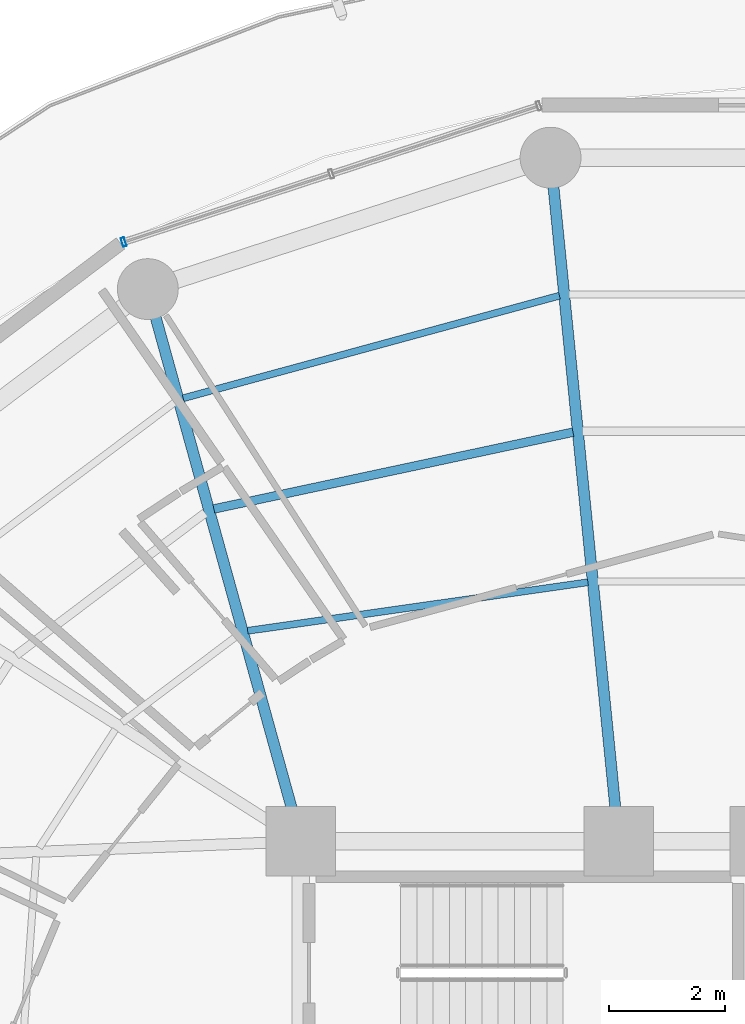
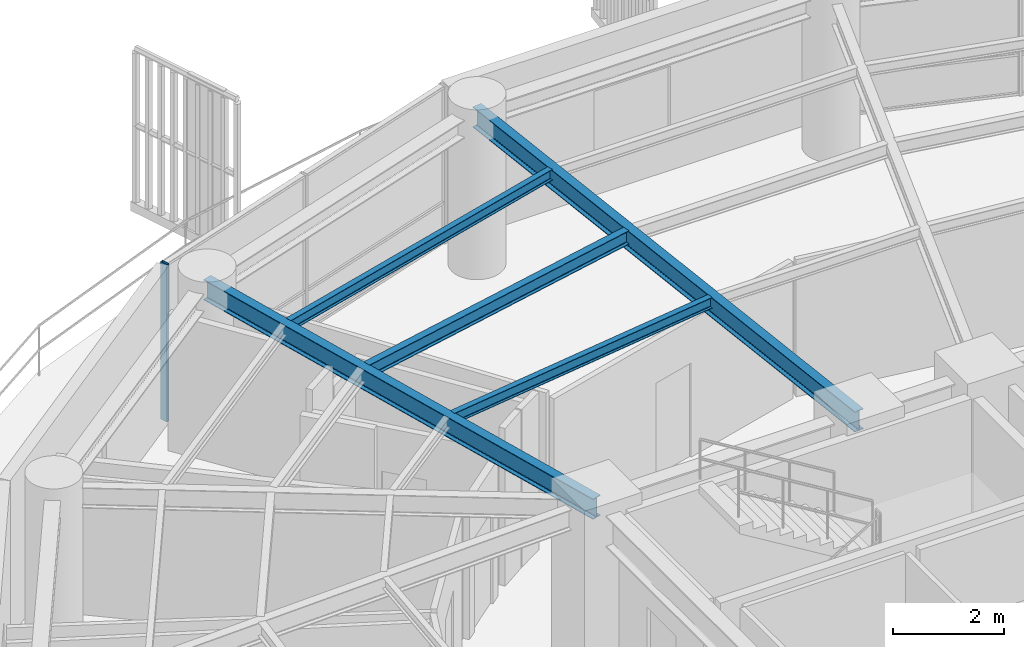
# One storey, part 18 of 31: 5 beams, 1 member, 1 element without a shape of its own.
"""IFC4 building model written with IfcOpenShell, lengths in metres."""

from ifc_helpers import new_model, si_unit, direction, frame, origin, origin_2d, place, context, subcontext, project, spatial, hollow_rectangle, i_section, extrude, material, layer, layer_set, material_profile, profile_set, type_object, element, aggregate, save


model = new_model("IFC4")

# Units and contexts
model_context = context("Model", 3, precision=1e-05, world=origin(), true_north=direction((0.0, 1.0)))
body_context = subcontext(model_context, "Body", "Model", "MODEL_VIEW")
ifc_project = project(units=[si_unit("LENGTHUNIT", "METRE"), si_unit("AREAUNIT", "SQUARE_METRE"), si_unit("VOLUMEUNIT", "CUBIC_METRE"), si_unit("PLANEANGLEUNIT", "RADIAN"), si_unit("MASSUNIT", "GRAM", prefix="KILO")], contexts=[model_context])

# Site, building, storey
site_placement = place(None, origin())
site = spatial("IfcSite", under=ifc_project, at=site_placement, CompositionType="ELEMENT")
building_placement = place(site_placement, origin())
building = spatial("IfcBuilding", under=site, at=building_placement, Name="Kelanora Arch Commons", CompositionType="ELEMENT")
storey_placement = place(building_placement, frame((0.0, 0.0, 200.699951171875)))
storey = spatial("IfcBuildingStorey", under=building, at=storey_placement, Name="L51", CompositionType="ELEMENT", Elevation=200.699951171875)

# Beams
ifc_material_1 = material(Name="Steel S355", Category="steel")
ifc_material_profile_1 = material_profile(ifc_material_1, i_section(OverallWidth=0.14990234375, OverallDepth=0.300048828125, WebThickness=0.007080078125, FlangeThickness=0.0107421875, FilletRadius=0.014892578125, at=origin_2d()), Name="IPE300")
ifc_profile_set_1 = profile_set([ifc_material_profile_1], Name="Steel S355")
beam_type_1 = type_object("IfcBeamType", Name="BM-JST-01", PredefinedType="JOIST", material=ifc_profile_set_1)
beam_1_placement = place(storey_placement, frame((70.69189453125, 72.056396484375, 3.340087890625), z_axis=(-0.977893715981, -0.209102559153, 0.0), x_axis=(0.209102559153, -0.977893715981, 0.0)))
element("IfcBeam", 1, at=beam_1_placement, inside=storey, type_object=beam_type_1, Name="Secondary Chord Joist BJB-10 L51", PredefinedType="JOIST", context=body_context, shape_type="SweptSolid", body=[
    extrude(i_section(OverallWidth=0.14990234375, OverallDepth=0.300048828125, WebThickness=0.007080078125, FlangeThickness=0.0107421875, FilletRadius=0.014892578125, at=origin_2d()), origin(), (0.0, 0.0, 1.0), 6.332763671875),
])
ifc_material_profile_2 = material_profile(ifc_material_1, i_section(OverallWidth=0.1201171875, OverallDepth=0.239990234375, WebThickness=0.006103515625, FlangeThickness=0.009765625, FilletRadius=0.014892578125, at=origin_2d()), Name="IPE240")
ifc_profile_set_2 = profile_set([ifc_material_profile_2], Name="Steel S355")
beam_type_2 = type_object("IfcBeamType", Name="BM-JST-02", PredefinedType="JOIST", material=ifc_profile_set_2)
beam_2_placement = place(storey_placement, frame((70.94921875, 69.46826171875, 3.3701171875), z_axis=(-0.989977480435, -0.141225310164, 0.0), x_axis=(0.141225310164, -0.989977480435, 0.0)))
element("IfcBeam", 2, at=beam_2_placement, inside=storey, type_object=beam_type_2, Name="Secondary Chord Joist BJA-10 L51", PredefinedType="JOIST", context=body_context, shape_type="SweptSolid", body=[
    extrude(i_section(OverallWidth=0.1201171875, OverallDepth=0.239990234375, WebThickness=0.006103515625, FlangeThickness=0.009765625, FilletRadius=0.014892578125, at=origin_2d()), origin(), (0.0, 0.0, 1.0), 5.927734375),
])
beam_3_placement = place(storey_placement, frame((70.457763671875, 74.40966796875, 3.3701171875), z_axis=(-0.964804863594, -0.262966870889, 0.0), x_axis=(0.262966870889, -0.964804863594, 0.0)))
element("IfcBeam", 3, at=beam_3_placement, inside=storey, type_object=beam_type_2, Name="Secondary Chord Joist BJC-10 L51", PredefinedType="JOIST", context=body_context, shape_type="SweptSolid", body=[
    extrude(i_section(OverallWidth=0.1201171875, OverallDepth=0.239990234375, WebThickness=0.006103515625, FlangeThickness=0.009765625, FilletRadius=0.014892578125, at=origin_2d()), origin(), (0.0, 0.0, 1.0), 6.724365234375),
])
ifc_material_profile_3 = material_profile(ifc_material_1, i_section(OverallWidth=0.18994140625, OverallDepth=0.449951171875, WebThickness=0.009521484375, FlangeThickness=0.0146484375, FilletRadius=0.02099609375, at=origin_2d()), Name="IPE450")
ifc_profile_set_3 = profile_set([ifc_material_profile_3], Name="Steel S355")
beam_type_3 = type_object("IfcBeamType", Name="BM-RAD-Z4", PredefinedType="BEAM", material=ifc_profile_set_3)
beam_4_placement = place(storey_placement, frame((71.47998046875, 65.0, 3.26513671875), z_axis=(-0.099193615558, 0.995068151753, 0.0), x_axis=(-0.995068151753, -0.099193615558, 0.0)))
element("IfcBeam", 4, at=beam_4_placement, inside=storey, type_object=beam_type_3, Name="Radial Floor Girder BR-10 L51", PredefinedType="BEAM", context=body_context, shape_type="SweptSolid", body=[
    extrude(i_section(OverallWidth=0.18994140625, OverallDepth=0.449951171875, WebThickness=0.009521484375, FlangeThickness=0.0146484375, FilletRadius=0.02099609375, at=origin_2d()), origin(), (0.0, 0.0, 1.0), 11.848388671875),
])
beam_5_placement = place(storey_placement, frame((66.0, 65.0, 3.26513671875), z_axis=(-0.267120164296, 0.963663228429, 0.0), x_axis=(-0.963663228429, -0.267120164296, 0.0)))
element("IfcBeam", 5, at=beam_5_placement, inside=storey, type_object=beam_type_3, Name="Radial Floor Girder BR-12 L51", PredefinedType="BEAM", context=body_context, shape_type="SweptSolid", body=[
    extrude(i_section(OverallWidth=0.18994140625, OverallDepth=0.449951171875, WebThickness=0.009521484375, FlangeThickness=0.0146484375, FilletRadius=0.02099609375, at=origin_2d()), origin(), (0.0, 0.0, 1.0), 9.8828125),
])

# Curtain wall, member
ifc_material_2 = material(Name="Terracotta ceramic-fritted low-E glass and aluminium", Category="masonry")
ifc_layer = layer(ifc_material_2, 0.175048828125)
ifc_layer_set = layer_set([ifc_layer], Name="Terracotta ceramic-fritted low-E glass and aluminium")
curtain_wall_type = type_object("IfcCurtainWallType", Name="CW-SYS-02", PredefinedType="NOTDEFINED", material=ifc_layer_set)
curtain_wall_placement = place(storey_placement, origin())
curtain_wall = element("IfcCurtainWall", 6, at=curtain_wall_placement, inside=storey, type_object=curtain_wall_type, Name="Unitised Curtain Wall L51-B05", PredefinedType="NOTDEFINED")
ifc_material_3 = material(Name="Powder-coated aluminium terracotta", Category="masonry")
ifc_material_profile_4 = material_profile(ifc_material_3, hollow_rectangle(XDim=0.159912109375, YDim=0.06005859375, WallThickness=0.0048828125, InnerFilletRadius=0.0048828125, OuterFilletRadius=0.010009765625, at=origin_2d()), Name="CWM160x60")
ifc_profile_set_4 = profile_set([ifc_material_profile_4], Name="Powder-coated aluminium terracotta")
member_type = type_object("IfcMemberType", Name="CWM-STD", PredefinedType="MULLION", material=ifc_profile_set_4)
member_placement = place(storey_placement, frame((62.94287109375, 75.33447265625, 0.0), z_axis=(0.0, 0.0, 1.0), x_axis=(0.311582439059, -0.950219124029, 0.0)))
member = element("IfcMember", 7, at=member_placement, type_object=member_type, Name="CW-02 mullion 3", PredefinedType="MULLION", context=body_context, shape_type="SweptSolid", body=[
    extrude(hollow_rectangle(XDim=0.159912109375, YDim=0.06005859375, WallThickness=0.0048828125, InnerFilletRadius=0.0048828125, OuterFilletRadius=0.010009765625, at=origin_2d()), origin(), (0.0, 0.0, 1.0), 3.47509765625),
])
aggregate(curtain_wall, [member])

save(model, "model.ifc")
